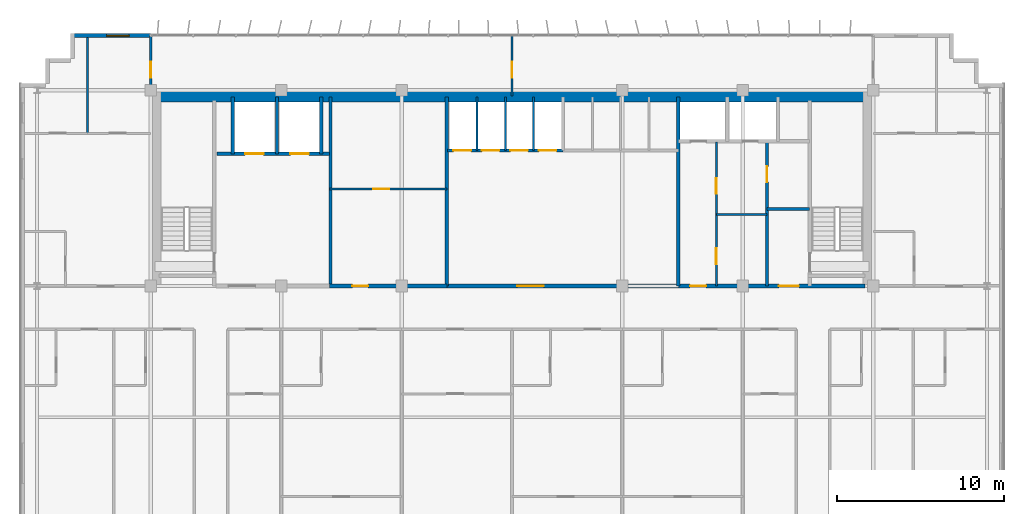
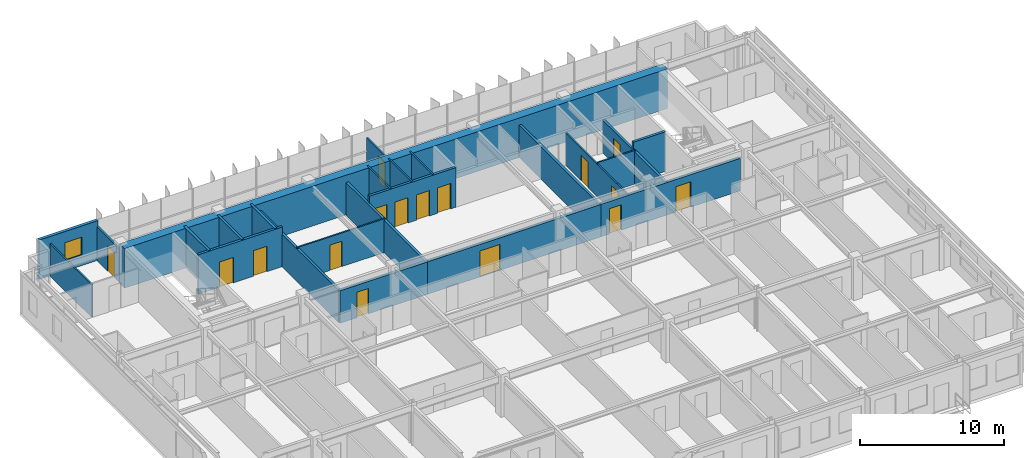
# One storey, part 18 of 21: 24 walls, 16 doors, 1 window, 17 openings.
"""IFC4 building model written with IfcOpenShell, lengths in metres."""

from ifc_helpers import new_model, si_unit, direction, frame, frame_2d, origin, place, context, subcontext, project, spatial, rectangle, extrude, source, transform, mapped, material, layer, layer_set, type_object, element, fill, save


model = new_model("IFC4")

# Units and contexts
model_context = context("Model", 3, precision=1e-05, world=origin(), true_north=direction((0.0, 1.0)))
body_context = subcontext(model_context, "Body", "Model", "MODEL_VIEW")
ifc_project = project(units=[si_unit("LENGTHUNIT", "METRE"), si_unit("AREAUNIT", "SQUARE_METRE"), si_unit("VOLUMEUNIT", "CUBIC_METRE"), si_unit("PLANEANGLEUNIT", "RADIAN"), si_unit("MASSUNIT", "GRAM", prefix="KILO")], contexts=[model_context])

# Site, building, storey
site_placement = place(None, origin())
site = spatial("IfcSite", under=ifc_project, at=site_placement, CompositionType="ELEMENT")
building_placement = place(site_placement, origin())
building = spatial("IfcBuilding", under=site, at=building_placement, Name="Trelvane Seafront Commons", CompositionType="ELEMENT")
storey_placement = place(building_placement, frame((0.0, 0.0, 135.699951171875)))
storey = spatial("IfcBuildingStorey", under=building, at=storey_placement, Name="L35", CompositionType="ELEMENT", Elevation=135.699951171875)

# Wall, opening, window
ifc_material_1 = material(Name="Precast concrete C40/50", Category="concrete")
ifc_layer_1 = layer(ifc_material_1, 0.239990234375, Name="ARCH-WALL-EXT240")
ifc_layer_set_1 = layer_set([ifc_layer_1], Name="Precast concrete C40/50")
wall_type_1 = type_object("IfcWallType", Name="ARCH-WALL-EXT240", PredefinedType="SOLIDWALL", material=ifc_layer_set_1)
wall_1_placement = place(storey_placement, frame((10.89990234375, 48.3701171875, 0.0), z_axis=(0.0, 0.0, 1.0), x_axis=(1.0, 0.0, 0.0)))
wall_1 = element("IfcWall", 1, at=wall_1_placement, inside=storey, type_object=wall_type_1, Name="EW-L35-NW-0674", PredefinedType="SOLIDWALL", context=body_context, shape_type="SweptSolid", body=[
    extrude(rectangle(XDim=4.7001953125, YDim=0.239990234375, at=frame_2d((2.35009765625, 0.0))), origin(), (0.0, 0.0, 1.0), 3.35009765625),
])
opening_1_placement = place(wall_1_placement, frame((2.056884765625, 0.0, 0.89990234375)))
opening_1 = element("IfcOpeningElement", 2, at=opening_1_placement, cuts=wall_1, Name="Opening W09", PredefinedType="OPENING", context=body_context, shape_type="SweptSolid", body=[
    extrude(rectangle(XDim=1.35009765625, YDim=1.5, at=frame_2d((0.675048828125, 0.75))), frame((0.0, 0.1298828125, 0.0), z_axis=(0.0, -1.0, 0.0), x_axis=(1.0, 0.0, 0.0)), (0.0, 0.0, 1.0), 0.260009765625),
])
ifc_material_2 = material(Name="Low-E coastal double glazing", Category="glass")
window_type = type_object("IfcWindowType", Name="ARCH-WIN-W09", PartitioningType="SINGLE_PANEL", PredefinedType="WINDOW", material=ifc_material_2)
shared_shape_1 = source(origin(), body_context, "Body", "SweptSolid", [
    extrude(rectangle(XDim=1.35009765625, YDim=1.5, at=frame_2d((0.675048828125, 0.75))), frame((0.0, 0.030029296875, 0.0), z_axis=(0.0, -1.0, 0.0), x_axis=(1.0, 0.0, 0.0)), (0.0, 0.0, 1.0), 0.06005859375),
])
window_placement = place(opening_1_placement, origin())
window = element("IfcWindow", 3, at=window_placement, inside=storey, type_object=window_type, Name="WIN-L35-00788", OverallHeight=1.5, OverallWidth=1.35009765625, PartitioningType="SINGLE_PANEL", PredefinedType="WINDOW", context=body_context, shape_type="MappedRepresentation", body=[
    mapped(shared_shape_1, transform((0.0, 0.0, 0.0), x_axis=(1.0, 0.0, 0.0), y_axis=(0.0, 1.0, 0.0), z_axis=(0.0, 0.0, 1.0), scale=1.0)),
])
fill(opening_1, window)

# Wall, opening, door
ifc_material_3 = material(Name="Concrete C40/50", Category="concrete")
ifc_layer_2 = layer(ifc_material_3, 0.199951171875, Name="ARCH-WALL-FIRE200")
ifc_layer_set_2 = layer_set([ifc_layer_2], Name="Concrete C40/50")
wall_type_2 = type_object("IfcWallType", Name="ARCH-WALL-FIRE200", PredefinedType="PARTITIONING", material=ifc_layer_set_2)
wall_2_placement = place(storey_placement, frame((52.449951171875, 33.39990234375, 0.0), z_axis=(0.0, 0.0, 1.0), x_axis=(0.0, 1.0, 0.0)))
wall_2 = element("IfcWall", 4, at=wall_2_placement, inside=storey, type_object=wall_type_2, Name="W-L35-ST2V-W-031", PredefinedType="PARTITIONING", context=body_context, shape_type="SweptSolid", body=[
    extrude(rectangle(XDim=8.650146484375, YDim=0.199951171875, at=frame_2d((4.3251953125, 0.0))), origin(), (0.0, 0.0, 1.0), 2.75),
])
opening_2_placement = place(wall_2_placement, frame((6.199951171875, 0.0, 0.0)))
opening_2 = element("IfcOpeningElement", 5, at=opening_2_placement, cuts=wall_2, Name="Opening FD-L35-15", PredefinedType="OPENING", context=body_context, shape_type="SweptSolid", body=[
    extrude(rectangle(XDim=0.949951171875, YDim=2.14990234375, at=frame_2d((0.47509765625, 1.074951171875))), frame((0.0, 0.10986328125, 0.0), z_axis=(0.0, -1.0, 0.0), x_axis=(1.0, 0.0, 0.0)), (0.0, 0.0, 1.0), 0.219970703125),
])
ifc_material_4 = material(Name="Powder-coated aluminium frame", Category="aluminium")
door_type_1 = type_object("IfcDoorType", Name="ARCH-DR-FD60-950", OperationType="NOTDEFINED", PredefinedType="DOOR", material=ifc_material_4)
shared_shape_2 = source(origin(), body_context, "Body", "SweptSolid", [
    extrude(rectangle(XDim=0.949951171875, YDim=2.14990234375, at=frame_2d((0.47509765625, 1.074951171875))), frame((0.0, 0.02490234375, 0.0), z_axis=(0.0, -1.0, 0.0), x_axis=(1.0, 0.0, 0.0)), (0.0, 0.0, 1.0), 0.050048828125),
])
door_1_placement = place(opening_2_placement, origin())
door_1 = element("IfcDoor", 6, at=door_1_placement, inside=storey, type_object=door_type_1, Name="L35 Cleaner Store Door", OperationType="SINGLE_SWING_LEFT", OverallHeight=2.14990234375, OverallWidth=0.949951171875, PredefinedType="DOOR", context=body_context, shape_type="MappedRepresentation", body=[
    mapped(shared_shape_2, transform((0.0, 0.0, 0.0), x_axis=(1.0, 0.0, 0.0), y_axis=(0.0, 1.0, 0.0), z_axis=(0.0, 0.0, 1.0), scale=1.0)),
])
fill(opening_2, door_1)

# Wall
wall_3_placement = place(storey_placement, frame((52.449951171875, 38.0, 0.0), z_axis=(0.0, 0.0, 1.0), x_axis=(1.0, 0.0, 0.0)))
element("IfcWall", 7, at=wall_3_placement, inside=storey, type_object=wall_type_2, Name="W-L35-ST2V-N-032", PredefinedType="PARTITIONING", context=body_context, shape_type="SweptSolid", body=[
    extrude(rectangle(XDim=2.550048828125, YDim=0.199951171875, at=frame_2d((1.27490234375, 0.0))), origin(), (0.0, 0.0, 1.0), 3.35009765625),
])

# Wall, opening, door
ifc_layer_3 = layer(ifc_material_3, 0.25, Name="ARCH-WALL-FIRE250")
ifc_layer_set_3 = layer_set([ifc_layer_3], Name="Concrete C40/50")
wall_type_3 = type_object("IfcWallType", Name="ARCH-WALL-FIRE250", PredefinedType="PARTITIONING", material=ifc_layer_set_3)
wall_4_placement = place(storey_placement, frame((26.300048828125, 33.39990234375, 0.0), z_axis=(0.0, 0.0, 1.0), x_axis=(1.0, 0.0, 0.0)))
wall_4 = element("IfcWall", 8, at=wall_4_placement, inside=storey, type_object=wall_type_3, Name="W-L35-CS-FPL-026", PredefinedType="PARTITIONING", context=body_context, shape_type="SweptSolid", body=[
    extrude(rectangle(XDim=7.0, YDim=0.25, at=frame_2d((3.5, 0.0))), origin(), (0.0, 0.0, 1.0), 2.75),
])
opening_3_placement = place(wall_4_placement, frame((1.35009765625, 0.0, 0.0)))
opening_3 = element("IfcOpeningElement", 9, at=opening_3_placement, cuts=wall_4, Name="Opening D-L35-11", PredefinedType="OPENING", context=body_context, shape_type="SweptSolid", body=[
    extrude(rectangle(XDim=0.949951171875, YDim=2.14990234375, at=frame_2d((0.47509765625, 1.074951171875))), frame((0.0, 0.135009765625, 0.0), z_axis=(0.0, -1.0, 0.0), x_axis=(1.0, 0.0, 0.0)), (0.0, 0.0, 1.0), 0.27001953125),
])
ifc_material_5 = material(Name="Acoustic timber door leaf", Category="wood")
door_type_2 = type_object("IfcDoorType", Name="ARCH-DR-INT950", OperationType="NOTDEFINED", PredefinedType="DOOR", material=ifc_material_5)
door_2_placement = place(opening_3_placement, origin())
door_2 = element("IfcDoor", 10, at=door_2_placement, inside=storey, type_object=door_type_2, Name="L35 Floor Pantry Entrance Door", OperationType="SINGLE_SWING_LEFT", OverallHeight=2.14990234375, OverallWidth=0.949951171875, PredefinedType="DOOR", context=body_context, shape_type="MappedRepresentation", body=[
    mapped(shared_shape_2, transform((0.0, 0.0, 0.0), x_axis=(1.0, 0.0, 0.0), y_axis=(0.0, 1.0, 0.0), z_axis=(0.0, 0.0, 1.0), scale=1.0)),
])
fill(opening_3, door_2)

wall_5_placement = place(storey_placement, frame((33.300048828125, 33.39990234375, 0.0), z_axis=(0.0, 0.0, 1.0), x_axis=(1.0, 0.0, 0.0)))
wall_5 = element("IfcWall", 11, at=wall_5_placement, inside=storey, type_object=wall_type_3, Name="W-L35-CS-PAX-027", PredefinedType="PARTITIONING", context=body_context, shape_type="SweptSolid", body=[
    extrude(rectangle(XDim=13.849853515625, YDim=0.25, at=frame_2d((6.9248046875, 0.0))), origin(), (0.0, 0.0, 1.0), 2.75),
])
opening_4_placement = place(wall_5_placement, frame((4.199951171875, 0.0, 0.0)))
opening_4 = element("IfcOpeningElement", 12, at=opening_4_placement, cuts=wall_5, Name="Opening FD-L35-12", PredefinedType="OPENING", context=body_context, shape_type="SweptSolid", body=[
    extrude(rectangle(XDim=1.60009765625, YDim=2.199951171875, at=frame_2d((0.800048828125, 1.10009765625))), frame((0.0, 0.135009765625, 0.0), z_axis=(0.0, -1.0, 0.0), x_axis=(1.0, 0.0, 0.0)), (0.0, 0.0, 1.0), 0.27001953125),
])
door_type_3 = type_object("IfcDoorType", Name="ARCH-DR-FD60-1600", OperationType="DOUBLE_DOOR_SINGLE_SWING", PredefinedType="DOOR", material=ifc_material_4)
shared_shape_3 = source(origin(), body_context, "Body", "SweptSolid", [
    extrude(rectangle(XDim=1.60009765625, YDim=2.199951171875, at=frame_2d((0.800048828125, 1.10009765625))), frame((0.0, 0.02490234375, 0.0), z_axis=(0.0, -1.0, 0.0), x_axis=(1.0, 0.0, 0.0)), (0.0, 0.0, 1.0), 0.050048828125),
])
door_3_placement = place(opening_4_placement, origin())
door_3 = element("IfcDoor", 13, at=door_3_placement, inside=storey, type_object=door_type_3, Name="L35 Passenger Lift Lobby Double Door", OperationType="DOUBLE_DOOR_SINGLE_SWING", OverallHeight=2.199951171875, OverallWidth=1.60009765625, PredefinedType="DOOR", context=body_context, shape_type="MappedRepresentation", body=[
    mapped(shared_shape_3, transform((0.0, 0.0, 0.0), x_axis=(1.0, 0.0, 0.0), y_axis=(0.0, 1.0, 0.0), z_axis=(0.0, 0.0, 1.0), scale=1.0)),
])
fill(opening_4, door_3)

# Wall, openings, doors
wall_6_placement = place(storey_placement, frame((47.14990234375, 33.39990234375, 0.0), z_axis=(0.0, 0.0, 1.0), x_axis=(1.0, 0.0, 0.0)))
wall_6 = element("IfcWall", 14, at=wall_6_placement, inside=storey, type_object=wall_type_3, Name="W-L35-CS-EAST-035", PredefinedType="PARTITIONING", context=body_context, shape_type="SweptSolid", body=[
    extrude(rectangle(XDim=11.150146484375, YDim=0.25, at=frame_2d((5.5751953125, 0.0))), origin(), (0.0, 0.0, 1.0), 2.75),
])
opening_5_placement = place(wall_6_placement, frame((0.699951171875, 0.0, 0.0)))
opening_5 = element("IfcOpeningElement", 15, at=opening_5_placement, cuts=wall_6, Name="Opening FD-L35-18", PredefinedType="OPENING", context=body_context, shape_type="SweptSolid", body=[
    extrude(rectangle(XDim=0.949951171875, YDim=2.14990234375, at=frame_2d((0.47509765625, 1.074951171875))), frame((0.0, 0.135009765625, 0.0), z_axis=(0.0, -1.0, 0.0), x_axis=(1.0, 0.0, 0.0)), (0.0, 0.0, 1.0), 0.27001953125),
])
opening_6_placement = place(wall_6_placement, frame((6.0, 0.0, 0.0)))
opening_6 = element("IfcOpeningElement", 16, at=opening_6_placement, cuts=wall_6, Name="Opening FD-L35-19", PredefinedType="OPENING", context=body_context, shape_type="SweptSolid", body=[
    extrude(rectangle(XDim=1.199951171875, YDim=2.14990234375, at=frame_2d((0.60009765625, 1.074951171875))), frame((0.0, 0.135009765625, 0.0), z_axis=(0.0, -1.0, 0.0), x_axis=(1.0, 0.0, 0.0)), (0.0, 0.0, 1.0), 0.27001953125),
])
door_4_placement = place(opening_5_placement, origin())
door_4 = element("IfcDoor", 17, at=door_4_placement, inside=storey, type_object=door_type_1, Name="L35 Core Service Lobby Door", OperationType="SINGLE_SWING_RIGHT", OverallHeight=2.14990234375, OverallWidth=0.949951171875, PredefinedType="DOOR", context=body_context, shape_type="MappedRepresentation", body=[
    mapped(shared_shape_2, transform((0.0, 0.0, 0.0), x_axis=(1.0, 0.0, 0.0), y_axis=(0.0, 1.0, 0.0), z_axis=(0.0, 0.0, 1.0), scale=1.0)),
])
fill(opening_5, door_4)
door_type_4 = type_object("IfcDoorType", Name="ARCH-DR-FD60-1200", OperationType="NOTDEFINED", PredefinedType="DOOR", material=ifc_material_4)
shared_shape_4 = source(origin(), body_context, "Body", "SweptSolid", [
    extrude(rectangle(XDim=1.199951171875, YDim=2.14990234375, at=frame_2d((0.60009765625, 1.074951171875))), frame((0.0, 0.02490234375, 0.0), z_axis=(0.0, -1.0, 0.0), x_axis=(1.0, 0.0, 0.0)), (0.0, 0.0, 1.0), 0.050048828125),
])
door_5_placement = place(opening_6_placement, origin())
door_5 = element("IfcDoor", 18, at=door_5_placement, inside=storey, type_object=door_type_4, Name="L35 East Stair Vestibule Fire Door", OperationType="SINGLE_SWING_LEFT", OverallHeight=2.14990234375, OverallWidth=1.199951171875, PredefinedType="DOOR", context=body_context, shape_type="MappedRepresentation", body=[
    mapped(shared_shape_4, transform((0.0, 0.0, 0.0), x_axis=(1.0, 0.0, 0.0), y_axis=(0.0, 1.0, 0.0), z_axis=(0.0, 0.0, 1.0), scale=1.0)),
])
fill(opening_6, door_5)

# Wall, opening, door
ifc_material_6 = material(Name="Gypsum Drywall Acoustic Partition")
ifc_layer_4 = layer(ifc_material_6, 0.1201171875, Name="ARCH-WALL-PART120")
ifc_layer_set_4 = layer_set([ifc_layer_4], Name="Gypsum Drywall Acoustic Partition")
wall_type_4 = type_object("IfcWallType", Name="ARCH-WALL-PART120", PredefinedType="PARTITIONING", material=ifc_layer_set_4)
wall_7_placement = place(storey_placement, frame((26.300048828125, 39.199951171875, 0.0), z_axis=(0.0, 0.0, 1.0), x_axis=(1.0, 0.0, 0.0)))
wall_7 = element("IfcWall", 19, at=wall_7_placement, inside=storey, type_object=wall_type_4, Name="W-L35-FREED-PL-MID-014", PredefinedType="PARTITIONING", context=body_context, shape_type="SweptSolid", body=[
    extrude(rectangle(XDim=7.0, YDim=0.1201171875, at=frame_2d((3.5, 0.0))), origin(), (0.0, 0.0, 1.0), 2.85009765625),
])
opening_7_placement = place(wall_7_placement, frame((2.60009765625, 0.0, 0.0)))
opening_7 = element("IfcOpeningElement", 20, at=opening_7_placement, cuts=wall_7, Name="Opening D-L35-06", PredefinedType="OPENING", context=body_context, shape_type="SweptSolid", body=[
    extrude(rectangle(XDim=0.949951171875, YDim=2.14990234375, at=frame_2d((0.47509765625, 1.074951171875))), frame((0.0, 0.070068359375, 0.0), z_axis=(0.0, -1.0, 0.0), x_axis=(1.0, 0.0, 0.0)), (0.0, 0.0, 1.0), 0.14013671875),
])
door_6_placement = place(opening_7_placement, origin())
door_6 = element("IfcDoor", 21, at=door_6_placement, inside=storey, type_object=door_type_2, Name="L35 Housekeeping Store Door", OperationType="SINGLE_SWING_RIGHT", OverallHeight=2.14990234375, OverallWidth=0.949951171875, PredefinedType="DOOR", context=body_context, shape_type="MappedRepresentation", body=[
    mapped(shared_shape_2, transform((0.0, 0.0, 0.0), x_axis=(1.0, 0.0, 0.0), y_axis=(0.0, 1.0, 0.0), z_axis=(0.0, 0.0, 1.0), scale=1.0)),
])
fill(opening_7, door_6)

# Walls
for number, where, z_axis, x_axis, name in (
    (22, (35.10009765625, 41.5, 0.0), (0.0, 0.0, 1.0), (0.0, 1.0, 0.0), "W-L35-PM-DIV1-017"),
    (23, (36.800048828125, 41.5, 0.0), (0.0, 0.0, 1.0), (0.0, 1.0, 0.0), "W-L35-PM-DIV2-018"),
    (24, (38.5, 41.5, 0.0), (0.0, 0.0, 1.0), (0.0, 1.0, 0.0), "W-L35-PM-DIV3-019"),
):
    element("IfcWall", number, at=place(storey_placement, frame(where, z_axis=z_axis, x_axis=x_axis)), inside=storey, type_object=wall_type_4, Name=name, PredefinedType="PARTITIONING", context=body_context, shape_type="SweptSolid", body=[
        extrude(rectangle(XDim=3.199951171875, YDim=0.1201171875, at=frame_2d((1.60009765625, 0.0))), origin(), (0.0, 0.0, 1.0), 3.35009765625),
    ])

# Wall, openings, doors
wall_8_placement = place(storey_placement, frame((49.419921875, 33.39990234375, 0.0), z_axis=(0.0, 0.0, 1.0), x_axis=(0.0, 1.0, 0.0)))
wall_8 = element("IfcWall", 25, at=wall_8_placement, inside=storey, type_object=wall_type_4, Name="W-L35-CYC0-V-033", PredefinedType="PARTITIONING", context=body_context, shape_type="SweptSolid", body=[
    extrude(rectangle(XDim=8.60009765625, YDim=0.1201171875, at=frame_2d((4.300048828125, 0.0))), origin(), (0.0, 0.0, 1.0), 2.75),
])
opening_8_placement = place(wall_8_placement, frame((1.300048828125, 0.0, 0.0)))
opening_8 = element("IfcOpeningElement", 26, at=opening_8_placement, cuts=wall_8, Name="Opening D-L35-16", PredefinedType="OPENING", context=body_context, shape_type="SweptSolid", body=[
    extrude(rectangle(XDim=0.949951171875, YDim=2.14990234375, at=frame_2d((0.47509765625, 1.074951171875))), frame((0.0, 0.070068359375, 0.0), z_axis=(0.0, -1.0, 0.0), x_axis=(1.0, 0.0, 0.0)), (0.0, 0.0, 1.0), 0.14013671875),
])
opening_9_placement = place(wall_8_placement, frame((5.5, 0.0, 0.0)))
opening_9 = element("IfcOpeningElement", 27, at=opening_9_placement, cuts=wall_8, Name="Opening D-L35-17", PredefinedType="OPENING", context=body_context, shape_type="SweptSolid", body=[
    extrude(rectangle(XDim=0.949951171875, YDim=2.14990234375, at=frame_2d((0.47509765625, 1.074951171875))), frame((0.0, 0.070068359375, 0.0), z_axis=(0.0, -1.0, 0.0), x_axis=(1.0, 0.0, 0.0)), (0.0, 0.0, 1.0), 0.14013671875),
])
door_7_placement = place(opening_8_placement, origin())
door_7 = element("IfcDoor", 28, at=door_7_placement, inside=storey, type_object=door_type_2, Name="L35 Accessible WC Door", OperationType="SINGLE_SWING_RIGHT", OverallHeight=2.14990234375, OverallWidth=0.949951171875, PredefinedType="DOOR", context=body_context, shape_type="MappedRepresentation", body=[
    mapped(shared_shape_2, transform((0.0, 0.0, 0.0), x_axis=(1.0, 0.0, 0.0), y_axis=(0.0, 1.0, 0.0), z_axis=(0.0, 0.0, 1.0), scale=1.0)),
])
fill(opening_8, door_7)
door_8_placement = place(opening_9_placement, origin())
door_8 = element("IfcDoor", 29, at=door_8_placement, inside=storey, type_object=door_type_2, Name="L35 Common WC Door", OperationType="SINGLE_SWING_LEFT", OverallHeight=2.14990234375, OverallWidth=0.949951171875, PredefinedType="DOOR", context=body_context, shape_type="MappedRepresentation", body=[
    mapped(shared_shape_2, transform((0.0, 0.0, 0.0), x_axis=(1.0, 0.0, 0.0), y_axis=(0.0, 1.0, 0.0), z_axis=(0.0, 0.0, 1.0), scale=1.0)),
])
fill(opening_9, door_8)

# Walls
wall_9_placement = place(storey_placement, frame((49.419921875, 37.679931640625, 0.0), z_axis=(0.0, 0.0, 1.0), x_axis=(1.0, 0.0, 0.0)))
element("IfcWall", 30, at=wall_9_placement, inside=storey, type_object=wall_type_4, Name="W-L35-CYC0-H-034", PredefinedType="PARTITIONING", context=body_context, shape_type="SweptSolid", body=[
    extrude(rectangle(XDim=3.030029296875, YDim=0.1201171875, at=frame_2d((1.51513671875, 0.0))), origin(), (0.0, 0.0, 1.0), 2.85009765625),
])
wall_10_placement = place(storey_placement, frame((11.824951171875, 42.52001953125, 0.0), z_axis=(0.0, 0.0, 1.0), x_axis=(0.0, 1.0, 0.0)))
element("IfcWall", 31, at=wall_10_placement, inside=storey, type_object=wall_type_4, Name="W-L35-NW-KBDV-040", PredefinedType="PARTITIONING", context=body_context, shape_type="SweptSolid", body=[
    extrude(rectangle(XDim=5.739990234375, YDim=0.1201171875, at=frame_2d((2.8701171875, 0.0))), origin(), (0.0, 0.0, 1.0), 2.75),
])

# Wall, opening, door
wall_11_placement = place(storey_placement, frame((37.199951171875, 44.75, 0.0), z_axis=(0.0, 0.0, 1.0), x_axis=(0.0, 1.0, 0.0)))
wall_11 = element("IfcWall", 32, at=wall_11_placement, inside=storey, type_object=wall_type_4, Name="W-L35-N-MID-DV-048", PredefinedType="PARTITIONING", context=body_context, shape_type="SweptSolid", body=[
    extrude(rectangle(XDim=3.610107421875, YDim=0.1201171875, at=frame_2d((1.80517578125, 0.0))), origin(), (0.0, 0.0, 1.0), 2.75),
])
opening_10_placement = place(wall_11_placement, frame((1.10009765625, 0.0, 0.0)))
opening_10 = element("IfcOpeningElement", 33, at=opening_10_placement, cuts=wall_11, Name="Opening D-L35-28", PredefinedType="OPENING", context=body_context, shape_type="SweptSolid", body=[
    extrude(rectangle(XDim=0.949951171875, YDim=2.14990234375, at=frame_2d((0.47509765625, 1.074951171875))), frame((0.0, 0.070068359375, 0.0), z_axis=(0.0, -1.0, 0.0), x_axis=(1.0, 0.0, 0.0)), (0.0, 0.0, 1.0), 0.14013671875),
])
door_9_placement = place(opening_10_placement, origin())
door_9 = element("IfcDoor", 34, at=door_9_placement, inside=storey, type_object=door_type_2, Name="L35 Door 28", OperationType="SINGLE_SWING_RIGHT", OverallHeight=2.14990234375, OverallWidth=0.949951171875, PredefinedType="DOOR", context=body_context, shape_type="MappedRepresentation", body=[
    mapped(shared_shape_2, transform((0.0, 0.0, 0.0), x_axis=(1.0, 0.0, 0.0), y_axis=(0.0, 1.0, 0.0), z_axis=(0.0, 0.0, 1.0), scale=1.0)),
])
fill(opening_10, door_9)

ifc_layer_5 = layer(ifc_material_6, 0.14990234375, Name="ARCH-WALL-PART150")
ifc_layer_set_5 = layer_set([ifc_layer_5], Name="Gypsum Drywall Acoustic Partition")
wall_type_5 = type_object("IfcWallType", Name="ARCH-WALL-PART150", PredefinedType="PARTITIONING", material=ifc_layer_set_5)
wall_12_placement = place(storey_placement, frame((15.60009765625, 44.75, 0.0), z_axis=(0.0, 0.0, 1.0), x_axis=(0.0, 1.0, 0.0)))
wall_12 = element("IfcWall", 35, at=wall_12_placement, inside=storey, type_object=wall_type_5, Name="W-L35-N-LINK-W-049", PredefinedType="PARTITIONING", context=body_context, shape_type="SweptSolid", body=[
    extrude(rectangle(XDim=3.610107421875, YDim=0.14990234375, at=frame_2d((1.80517578125, 0.0))), origin(), (0.0, 0.0, 1.0), 2.85009765625),
])
opening_11_placement = place(wall_12_placement, frame((1.10009765625, 0.0, 0.0)))
opening_11 = element("IfcOpeningElement", 36, at=opening_11_placement, cuts=wall_12, Name="Opening FD-L35-29", PredefinedType="OPENING", context=body_context, shape_type="SweptSolid", body=[
    extrude(rectangle(XDim=0.949951171875, YDim=2.14990234375, at=frame_2d((0.47509765625, 1.074951171875))), frame((0.0, 0.0849609375, 0.0), z_axis=(0.0, -1.0, 0.0), x_axis=(1.0, 0.0, 0.0)), (0.0, 0.0, 1.0), 0.169921875),
])
door_10_placement = place(opening_11_placement, origin())
door_10 = element("IfcDoor", 37, at=door_10_placement, inside=storey, type_object=door_type_1, Name="L35 Door 29", OperationType="SINGLE_SWING_LEFT", OverallHeight=2.14990234375, OverallWidth=0.949951171875, PredefinedType="DOOR", context=body_context, shape_type="MappedRepresentation", body=[
    mapped(shared_shape_2, transform((0.0, 0.0, 0.0), x_axis=(1.0, 0.0, 0.0), y_axis=(0.0, 1.0, 0.0), z_axis=(0.0, 0.0, 1.0), scale=1.0)),
])
fill(opening_11, door_10)

# Wall, openings, doors
ifc_layer_6 = layer(ifc_material_3, 0.199951171875, Name="ARCH-WALL-SHAFT200")
ifc_layer_set_6 = layer_set([ifc_layer_6], Name="Concrete C40/50")
wall_type_6 = type_object("IfcWallType", Name="ARCH-WALL-SHAFT200", PredefinedType="SOLIDWALL", material=ifc_layer_set_6)
wall_13_placement = place(storey_placement, frame((19.550048828125, 41.300048828125, 0.0), z_axis=(0.0, 0.0, 1.0), x_axis=(1.0, 0.0, 0.0)))
wall_13 = element("IfcWall", 38, at=wall_13_placement, inside=storey, type_object=wall_type_6, Name="W-L35-FFL-FRONT-008", PredefinedType="SOLIDWALL", context=body_context, shape_type="SweptSolid", body=[
    extrude(rectangle(XDim=6.75, YDim=0.199951171875, at=frame_2d((3.375, 0.0))), origin(), (0.0, 0.0, 1.0), 3.35009765625),
])
opening_12_placement = place(wall_13_placement, frame((1.699951171875, 0.0, 0.0)))
opening_12 = element("IfcOpeningElement", 39, at=opening_12_placement, cuts=wall_13, Name="Opening LD-FF1-L35", PredefinedType="OPENING", context=body_context, shape_type="SweptSolid", body=[
    extrude(rectangle(XDim=1.10009765625, YDim=2.14990234375, at=frame_2d((0.550048828125, 1.074951171875))), frame((0.0, 0.10986328125, 0.0), z_axis=(0.0, -1.0, 0.0), x_axis=(1.0, 0.0, 0.0)), (0.0, 0.0, 1.0), 0.219970703125),
])
opening_13_placement = place(wall_13_placement, frame((4.39990234375, 0.0, 0.0)))
opening_13 = element("IfcOpeningElement", 40, at=opening_13_placement, cuts=wall_13, Name="Opening LD-FF2-L35", PredefinedType="OPENING", context=body_context, shape_type="SweptSolid", body=[
    extrude(rectangle(XDim=1.10009765625, YDim=2.14990234375, at=frame_2d((0.550048828125, 1.074951171875))), frame((0.0, 0.10986328125, 0.0), z_axis=(0.0, -1.0, 0.0), x_axis=(1.0, 0.0, 0.0)), (0.0, 0.0, 1.0), 0.219970703125),
])
ifc_material_7 = material(Name="Stainless steel balustrade", Category="steel")
door_type_5 = type_object("IfcDoorType", Name="ARCH-DR-LD1100", OperationType="DOUBLE_DOOR_SLIDING", PredefinedType="DOOR", material=ifc_material_7)
shared_shape_5 = source(origin(), body_context, "Body", "SweptSolid", [
    extrude(rectangle(XDim=1.10009765625, YDim=2.14990234375, at=frame_2d((0.550048828125, 1.074951171875))), frame((0.0, 0.02490234375, 0.0), z_axis=(0.0, -1.0, 0.0), x_axis=(1.0, 0.0, 0.0)), (0.0, 0.0, 1.0), 0.050048828125),
])
door_11_placement = place(opening_12_placement, origin())
door_11 = element("IfcDoor", 41, at=door_11_placement, inside=storey, type_object=door_type_5, Name="L35 Firefighting Lift FFL-1 Landing Door", OperationType="DOUBLE_DOOR_SLIDING", OverallHeight=2.14990234375, OverallWidth=1.10009765625, PredefinedType="DOOR", context=body_context, shape_type="MappedRepresentation", body=[
    mapped(shared_shape_5, transform((0.0, 0.0, 0.0), x_axis=(1.0, 0.0, 0.0), y_axis=(0.0, 1.0, 0.0), z_axis=(0.0, 0.0, 1.0), scale=1.0)),
])
fill(opening_12, door_11)
door_12_placement = place(opening_13_placement, origin())
door_12 = element("IfcDoor", 42, at=door_12_placement, inside=storey, type_object=door_type_5, Name="L35 Firefighting Lift FFL-2 Landing Door", OperationType="DOUBLE_DOOR_SLIDING", OverallHeight=2.14990234375, OverallWidth=1.10009765625, PredefinedType="DOOR", context=body_context, shape_type="MappedRepresentation", body=[
    mapped(shared_shape_5, transform((0.0, 0.0, 0.0), x_axis=(1.0, 0.0, 0.0), y_axis=(0.0, 1.0, 0.0), z_axis=(0.0, 0.0, 1.0), scale=1.0)),
])
fill(opening_13, door_12)

# Walls
for number, where, z_axis, x_axis, name in (
    (43, (20.5, 41.300048828125, 0.0), (0.0, 0.0, 1.0), (0.0, 1.0, 0.0), "W-L35-FFL-SH-W-009"),
    (44, (23.14990234375, 41.300048828125, 0.0), (0.0, 0.0, 1.0), (0.0, 1.0, 0.0), "W-L35-FFL-DIV-010"),
    (45, (25.800048828125, 41.300048828125, 0.0), (0.0, 0.0, 1.0), (0.0, 1.0, 0.0), "W-L35-FFL-SH-E-011"),
):
    element("IfcWall", number, at=place(storey_placement, frame(where, z_axis=z_axis, x_axis=x_axis)), inside=storey, type_object=wall_type_6, Name=name, PredefinedType="SOLIDWALL", context=body_context, shape_type="SweptSolid", body=[
        extrude(rectangle(XDim=3.39990234375, YDim=0.199951171875, at=frame_2d((1.699951171875, 0.0))), origin(), (0.0, 0.0, 1.0), 3.35009765625),
    ])
for number, where, z_axis, x_axis, name in (
    (46, (26.35009765625, 33.39990234375, 0.0), (0.0, 0.0, 1.0), (0.0, 1.0, 0.0), "W-L35-FFL-EAST-012"),
    (47, (33.300048828125, 33.39990234375, 0.0), (0.0, 0.0, 1.0), (0.0, 1.0, 0.0), "W-L35-FREED-PL-E-015"),
):
    element("IfcWall", number, at=place(storey_placement, frame(where, z_axis=z_axis, x_axis=x_axis)), inside=storey, type_object=wall_type_6, Name=name, PredefinedType="SOLIDWALL", context=body_context, shape_type="SweptSolid", body=[
        extrude(rectangle(XDim=11.300048828125, YDim=0.199951171875, at=frame_2d((5.64990234375, 0.0))), origin(), (0.0, 0.0, 1.0), 2.75),
    ])

# Wall, openings, doors
wall_14_placement = place(storey_placement, frame((33.35009765625, 41.5, 0.0), z_axis=(0.0, 0.0, 1.0), x_axis=(1.0, 0.0, 0.0)))
wall_14 = element("IfcWall", 48, at=wall_14_placement, inside=storey, type_object=wall_type_6, Name="W-L35-PM-FRONT-016", PredefinedType="SOLIDWALL", context=body_context, shape_type="SweptSolid", body=[
    extrude(rectangle(XDim=6.89990234375, YDim=0.199951171875, at=frame_2d((3.449951171875, 0.0))), origin(), (0.0, 0.0, 1.0), 3.35009765625),
])
opening_14_placement = place(wall_14_placement, frame((0.35009765625, 0.0, 0.0)))
opening_14 = element("IfcOpeningElement", 49, at=opening_14_placement, cuts=wall_14, Name="Opening LD-PM1-L35", PredefinedType="OPENING", context=body_context, shape_type="SweptSolid", body=[
    extrude(rectangle(XDim=1.050048828125, YDim=2.14990234375, at=frame_2d((0.52490234375, 1.074951171875))), frame((0.0, 0.10986328125, 0.0), z_axis=(0.0, -1.0, 0.0), x_axis=(1.0, 0.0, 0.0)), (0.0, 0.0, 1.0), 0.219970703125),
])
opening_15_placement = place(wall_14_placement, frame((2.050048828125, 0.0, 0.0)))
opening_15 = element("IfcOpeningElement", 50, at=opening_15_placement, cuts=wall_14, Name="Opening LD-PM2-L35", PredefinedType="OPENING", context=body_context, shape_type="SweptSolid", body=[
    extrude(rectangle(XDim=1.050048828125, YDim=2.14990234375, at=frame_2d((0.52490234375, 1.074951171875))), frame((0.0, 0.10986328125, 0.0), z_axis=(0.0, -1.0, 0.0), x_axis=(1.0, 0.0, 0.0)), (0.0, 0.0, 1.0), 0.219970703125),
])
opening_16_placement = place(wall_14_placement, frame((3.75, 0.0, 0.0)))
opening_16 = element("IfcOpeningElement", 51, at=opening_16_placement, cuts=wall_14, Name="Opening LD-PM3-L35", PredefinedType="OPENING", context=body_context, shape_type="SweptSolid", body=[
    extrude(rectangle(XDim=1.050048828125, YDim=2.14990234375, at=frame_2d((0.52490234375, 1.074951171875))), frame((0.0, 0.10986328125, 0.0), z_axis=(0.0, -1.0, 0.0), x_axis=(1.0, 0.0, 0.0)), (0.0, 0.0, 1.0), 0.219970703125),
])
opening_17_placement = place(wall_14_placement, frame((5.449951171875, 0.0, 0.0)))
opening_17 = element("IfcOpeningElement", 52, at=opening_17_placement, cuts=wall_14, Name="Opening LD-PM4-L35", PredefinedType="OPENING", context=body_context, shape_type="SweptSolid", body=[
    extrude(rectangle(XDim=1.050048828125, YDim=2.14990234375, at=frame_2d((0.52490234375, 1.074951171875))), frame((0.0, 0.10986328125, 0.0), z_axis=(0.0, -1.0, 0.0), x_axis=(1.0, 0.0, 0.0)), (0.0, 0.0, 1.0), 0.219970703125),
])
door_type_6 = type_object("IfcDoorType", Name="ARCH-DR-LD1050", OperationType="DOUBLE_DOOR_SLIDING", PredefinedType="DOOR", material=ifc_material_7)
shared_shape_6 = source(origin(), body_context, "Body", "SweptSolid", [
    extrude(rectangle(XDim=1.050048828125, YDim=2.14990234375, at=frame_2d((0.52490234375, 1.074951171875))), frame((0.0, 0.02490234375, 0.0), z_axis=(0.0, -1.0, 0.0), x_axis=(1.0, 0.0, 0.0)), (0.0, 0.0, 1.0), 0.050048828125),
])
door_13_placement = place(opening_14_placement, origin())
door_13 = element("IfcDoor", 53, at=door_13_placement, inside=storey, type_object=door_type_6, Name="L35 Passenger Lift PM-1 Landing Door", OperationType="DOUBLE_DOOR_SLIDING", OverallHeight=2.14990234375, OverallWidth=1.050048828125, PredefinedType="DOOR", context=body_context, shape_type="MappedRepresentation", body=[
    mapped(shared_shape_6, transform((0.0, 0.0, 0.0), x_axis=(1.0, 0.0, 0.0), y_axis=(0.0, 1.0, 0.0), z_axis=(0.0, 0.0, 1.0), scale=1.0)),
])
fill(opening_14, door_13)
door_14_placement = place(opening_15_placement, origin())
door_14 = element("IfcDoor", 54, at=door_14_placement, inside=storey, type_object=door_type_6, Name="L35 Passenger Lift PM-2 Landing Door", OperationType="DOUBLE_DOOR_SLIDING", OverallHeight=2.14990234375, OverallWidth=1.050048828125, PredefinedType="DOOR", context=body_context, shape_type="MappedRepresentation", body=[
    mapped(shared_shape_6, transform((0.0, 0.0, 0.0), x_axis=(1.0, 0.0, 0.0), y_axis=(0.0, 1.0, 0.0), z_axis=(0.0, 0.0, 1.0), scale=1.0)),
])
fill(opening_15, door_14)
door_15_placement = place(opening_16_placement, origin())
door_15 = element("IfcDoor", 55, at=door_15_placement, inside=storey, type_object=door_type_6, Name="L35 Passenger Lift PM-3 Landing Door", OperationType="DOUBLE_DOOR_SLIDING", OverallHeight=2.14990234375, OverallWidth=1.050048828125, PredefinedType="DOOR", context=body_context, shape_type="MappedRepresentation", body=[
    mapped(shared_shape_6, transform((0.0, 0.0, 0.0), x_axis=(1.0, 0.0, 0.0), y_axis=(0.0, 1.0, 0.0), z_axis=(0.0, 0.0, 1.0), scale=1.0)),
])
fill(opening_16, door_15)
door_16_placement = place(opening_17_placement, origin())
door_16 = element("IfcDoor", 56, at=door_16_placement, inside=storey, type_object=door_type_6, Name="L35 Passenger Lift PM-4 Landing Door", OperationType="DOUBLE_DOOR_SLIDING", OverallHeight=2.14990234375, OverallWidth=1.050048828125, PredefinedType="DOOR", context=body_context, shape_type="MappedRepresentation", body=[
    mapped(shared_shape_6, transform((0.0, 0.0, 0.0), x_axis=(1.0, 0.0, 0.0), y_axis=(0.0, 1.0, 0.0), z_axis=(0.0, 0.0, 1.0), scale=1.0)),
])
fill(opening_17, door_16)

# Walls
wall_15_placement = place(storey_placement, frame((47.14990234375, 33.39990234375, 0.0), z_axis=(0.0, 0.0, 1.0), x_axis=(0.0, 1.0, 0.0)))
element("IfcWall", 57, at=wall_15_placement, inside=storey, type_object=wall_type_6, Name="W-L35-PH-EAST-025", PredefinedType="SOLIDWALL", context=body_context, shape_type="SweptSolid", body=[
    extrude(rectangle(XDim=11.300048828125, YDim=0.199951171875, at=frame_2d((5.64990234375, 0.0))), origin(), (0.0, 0.0, 1.0), 2.75),
])
ifc_material_8 = material(Name="Concrete C60/75", Category="concrete")
ifc_layer_7 = layer(ifc_material_8, 0.699951171875, Name="STR-WALL-CORE700")
ifc_layer_set_7 = layer_set([ifc_layer_7], Name="Concrete C60/75")
wall_type_7 = type_object("IfcWallType", Name="STR-WALL-CORE700", PredefinedType="SHEAR", material=ifc_layer_set_7)
wall_16_placement = place(storey_placement, frame((15.5, 44.75, 0.0), z_axis=(0.0, 0.0, 1.0), x_axis=(1.0, 0.0, 0.0)))
element("IfcWall", 58, at=wall_16_placement, inside=storey, type_object=wall_type_7, Name="W-L35-CN-ALL-001", PredefinedType="SHEAR", context=body_context, shape_type="SweptSolid", body=[
    extrude(rectangle(XDim=43.39990234375, YDim=0.699951171875, at=frame_2d((21.699951171875, 0.0))), origin(), (0.0, 0.0, 1.0), 3.35009765625),
])

save(model, "model.ifc")
